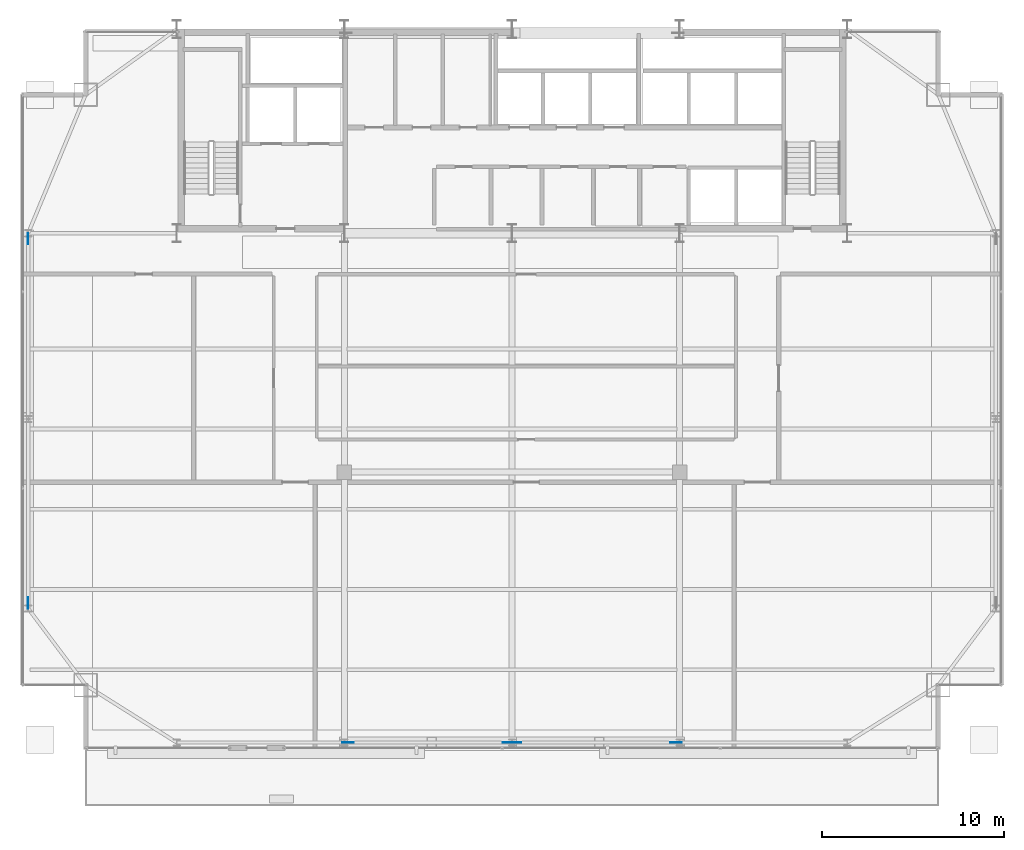
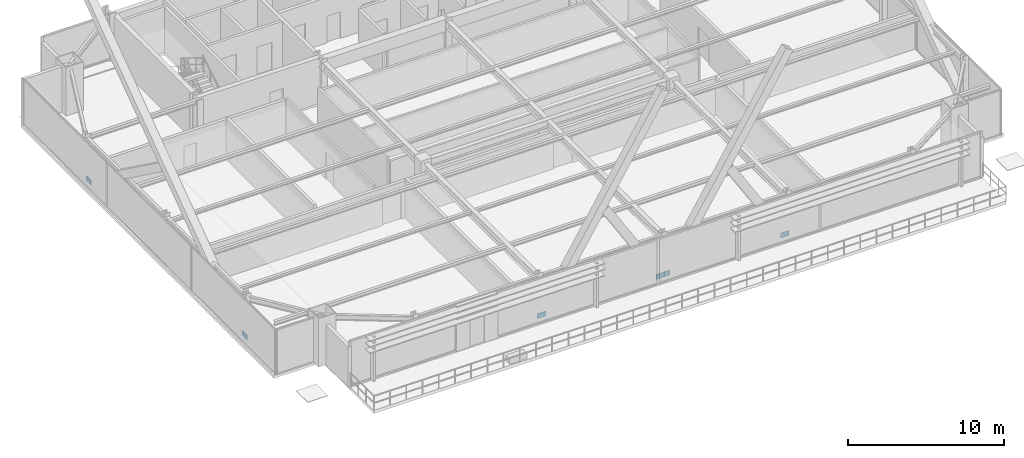
# One storey, part 27 of 33: 6 plates.
"""IFC4 building model written with IfcOpenShell, lengths in metres."""

import ifcopenshell
import ifcopenshell.guid

model = None  # the IFC model being written
_history = None  # IfcOwnerHistory: only IFC2X3 demands one
_inside = {}  # id of a spatial element -> (the spatial element, [elements in it])
_under = {}  # id of a project, library or spatial element -> (it, [spatial elements below it])
_declared = {}  # id of a project -> (the project, [libraries it declares])
_typed = {}  # id of a type object -> (the type object, [elements of that type])
_made_of = {}  # id of a material, layer set ... -> (it, [elements and type objects made of it])


def new_model(schema):
    """Start an empty IFC model of exactly this schema.

    Asked for "IFC4X3", IfcOpenShell would pick the latest addendum, in which some entities
    have other attributes; the version numbers below select the first issue.
    IFC2X3 requires an IfcOwnerHistory on every rooted entity: one is made here for all.
    """
    global model, _history
    if schema == "IFC4X3":
        model = ifcopenshell.file(schema_version=(4, 3, 0, 0))
    else:
        model = ifcopenshell.file(schema=schema)
    _inside.clear()
    _under.clear()
    _declared.clear()
    _typed.clear()
    _made_of.clear()
    _history = None
    if model.schema == "IFC2X3":
        org = make("IfcOrganization", Name="unknown")
        user = make(
            "IfcPersonAndOrganization",
            ThePerson=make("IfcPerson", FamilyName="unknown"),
            TheOrganization=org,
        )
        app = make(
            "IfcApplication",
            ApplicationDeveloper=org,
            Version="unknown",
            ApplicationFullName="unknown",
            ApplicationIdentifier="unknown",
        )
        _history = make(
            "IfcOwnerHistory",
            OwningUser=user,
            OwningApplication=app,
            ChangeAction="ADDED",
            CreationDate=0,
        )
    return model


def make(cls, **values):
    """One entity of the class cls with the attributes given. An attribute that is None is left unset."""
    return model.create_entity(
        cls, **{name: value for name, value in values.items() if value is not None}
    )


def rooted(cls, **values):
    """An entity with a GlobalId (a new one), such as an element, a storey or a relation."""
    return make(cls, GlobalId=ifcopenshell.guid.new(), OwnerHistory=_history, **values)


def si_unit(unit_type, name, prefix=None):
    """IfcSIUnit, for example si_unit("LENGTHUNIT", "METRE", prefix="MILLI")."""
    return make("IfcSIUnit", UnitType=unit_type, Prefix=prefix, Name=name)


def assignment(units):
    """IfcUnitAssignment: the units of a project."""
    return None if units is None else make("IfcUnitAssignment", Units=units)


def point(xyz):
    """IfcCartesianPoint."""
    return None if xyz is None else make("IfcCartesianPoint", Coordinates=xyz)


def direction(xyz):
    """IfcDirection."""
    return None if xyz is None else make("IfcDirection", DirectionRatios=xyz)


def frame(location, z_axis=None, x_axis=None):
    """IfcAxis2Placement3D, a coordinate frame: its origin and axes. An axis left out is left unset."""
    return make(
        "IfcAxis2Placement3D",
        Location=point(location),
        Axis=direction(z_axis),
        RefDirection=direction(x_axis),
    )


def frame_2d(location, x_axis=None):
    """IfcAxis2Placement2D, a coordinate frame in the plane: its origin and x axis."""
    return make(
        "IfcAxis2Placement2D", Location=point(location), RefDirection=direction(x_axis)
    )


def origin():
    """The frame at (0, 0, 0) with its axes left unset."""
    return frame((0.0, 0.0, 0.0))


def origin_2d():
    """The frame at (0, 0) in the plane with its x axis left unset."""
    return frame_2d((0.0, 0.0))


def place(relative_to, where):
    """IfcLocalPlacement: puts the frame where relative to a parent placement (None: the world)."""
    return make(
        "IfcLocalPlacement", PlacementRelTo=relative_to, RelativePlacement=where
    )


def context(
    kind, dimensions, precision=None, world=None, true_north=None, identifier=None
):
    """IfcGeometricRepresentationContext, for example the 3D "Model" context."""
    return make(
        "IfcGeometricRepresentationContext",
        ContextIdentifier=identifier,
        ContextType=kind,
        CoordinateSpaceDimension=dimensions,
        Precision=precision,
        WorldCoordinateSystem=world,
        TrueNorth=true_north,
    )


def subcontext(parent, identifier, kind, view, scale=None):
    """IfcGeometricRepresentationSubContext, for example "Body" below "Model"."""
    return make(
        "IfcGeometricRepresentationSubContext",
        ContextIdentifier=identifier,
        ContextType=kind,
        ParentContext=parent,
        TargetScale=scale,
        TargetView=view,
    )


def project(units=None, contexts=None):
    """IfcProject with its units and contexts."""
    return rooted(
        "IfcProject",
        Name="project",
        RepresentationContexts=contexts,
        UnitsInContext=assignment(units),
    )


def spatial(cls, under=None, at=None, **own):
    """A site, building, storey or space (cls), placed at a placement, below another one or the project."""
    s = rooted(cls, ObjectPlacement=at, **own)
    if under is not None:
        _under.setdefault(under.id(), (under, []))[1].append(s)
    return s


def profile(cls, at=None, kind="AREA", **sizes):
    """A parametric profile (cls). Its sizes go by their IFC names, for example OverallWidth=200.0."""
    return make(cls, ProfileType=kind, Position=at, **sizes)


def rectangle(**sizes):
    """IfcRectangleProfileDef."""
    return profile("IfcRectangleProfileDef", **sizes)


def extrude(swept, where, along, depth):
    """IfcExtrudedAreaSolid: the profile swept, set in the frame where, extruded along a direction by depth."""
    return make(
        "IfcExtrudedAreaSolid",
        SweptArea=swept,
        Position=where,
        ExtrudedDirection=direction(along),
        Depth=depth,
    )


def shape(context_of_items, identifier, shape_type, items):
    """IfcShapeRepresentation: the items that make up one representation, for example the "Body"."""
    return make(
        "IfcShapeRepresentation",
        ContextOfItems=context_of_items,
        RepresentationIdentifier=identifier,
        RepresentationType=shape_type,
        Items=items,
    )


def source(mapping_origin, context_of_items, identifier, shape_type, items):
    """IfcRepresentationMap: a shape defined once, which mapped items show again and again."""
    return make(
        "IfcRepresentationMap",
        MappingOrigin=mapping_origin,
        MappedRepresentation=shape(context_of_items, identifier, shape_type, items),
    )


def transform(
    local_origin,
    x_axis=None,
    y_axis=None,
    z_axis=None,
    scale=None,
    scale2=None,
    scale3=None,
    uniform=True,
):
    """IfcCartesianTransformationOperator3D, or its non-uniform kind. x_axis, y_axis, z_axis: its Axis1, 2, 3."""
    if uniform:
        return make(
            "IfcCartesianTransformationOperator3D",
            Axis1=direction(x_axis),
            Axis2=direction(y_axis),
            LocalOrigin=point(local_origin),
            Scale=scale,
            Axis3=direction(z_axis),
        )
    return make(
        "IfcCartesianTransformationOperator3DnonUniform",
        Axis1=direction(x_axis),
        Axis2=direction(y_axis),
        LocalOrigin=point(local_origin),
        Scale=scale,
        Axis3=direction(z_axis),
        Scale2=scale2,
        Scale3=scale3,
    )


def mapped(mapping_source, mapping_target):
    """IfcMappedItem: shows the shape of a source again, moved by a transform."""
    return make(
        "IfcMappedItem", MappingSource=mapping_source, MappingTarget=mapping_target
    )


def material(Name=None, Category=None):
    """IfcMaterial."""
    return make("IfcMaterial", Name=Name, Category=Category)


def layer(
    of_material, thickness, ventilated=None, Name=None, Category=None, Priority=None
):
    """IfcMaterialLayer: one layer of a wall or slab, of a material (None: an air gap)."""
    return make(
        "IfcMaterialLayer",
        Material=of_material,
        LayerThickness=thickness,
        IsVentilated=ventilated,
        Name=Name,
        Category=Category,
        Priority=Priority,
    )


def layer_set(layers, Name=None):
    """IfcMaterialLayerSet."""
    return make("IfcMaterialLayerSet", MaterialLayers=layers, LayerSetName=Name)


def made_of(thing, what):
    """Note that an element or type object is made of a material, layer set ...; save() writes the relation."""
    if what is not None:
        _made_of.setdefault(what.id(), (what, []))[1].append(thing)
    return thing


def type_object(cls, material=None, **own):
    """A type object (cls), such as IfcWallType, which elements share."""
    return made_of(rooted(cls, **own), material)


def type_shapes(of_type, sources):
    """Give a type object the sources (RepresentationMaps) that its elements show as mapped items."""
    of_type.RepresentationMaps = sources


def element(
    cls,
    number,
    at=None,
    inside=None,
    cuts=None,
    type_object=None,
    material=None,
    context=None,
    identifier="Body",
    shape_type=None,
    held_by="IfcProductDefinitionShape",
    body=None,
    shapes=None,
    **own,
):
    """One element of the class cls, such as IfcWall. Its Tag is "e" and its number.

    at: its placement. inside: the storey or other place that contains it. cuts: it is an
    opening in that element (IfcRelVoidsElement). A single representation is given by context,
    identifier, shape_type and body (its items); several are given by shapes. held_by: the class
    of the entity that holds the representations. save() writes the other relations.
    """
    e = rooted(cls, Tag="e%d" % number, ObjectPlacement=at, **own)
    if body is not None:
        shapes = [shape(context, identifier, shape_type, body)]
    if shapes is not None:
        e.Representation = make(held_by, Representations=shapes)
    if inside is not None:
        _inside.setdefault(inside.id(), (inside, []))[1].append(e)
    if cuts is not None:
        rooted(
            "IfcRelVoidsElement", RelatingBuildingElement=cuts, RelatedOpeningElement=e
        )
    if type_object is not None:
        _typed.setdefault(type_object.id(), (type_object, []))[1].append(e)
    return made_of(e, material)


def aggregate(whole, parts):
    """IfcRelAggregates: a whole, such as a stair, and the parts it consists of."""
    return rooted("IfcRelAggregates", RelatingObject=whole, RelatedObjects=parts)


def save(model, path):
    """Write the relations noted so far, then the file.

    IfcRelAggregates (storeys below a building ...), IfcRelContainedInSpatialStructure (elements
    in a storey), IfcRelDefinesByType, IfcRelAssociatesMaterial and IfcRelDeclares: one each for
    every whole, place, type object, material and project.
    """
    for whole, parts in _under.values():
        aggregate(whole, parts)
    for where, things in _inside.values():
        rooted(
            "IfcRelContainedInSpatialStructure",
            RelatedElements=things,
            RelatingStructure=where,
        )
    for kind, things in _typed.values():
        rooted("IfcRelDefinesByType", RelatedObjects=things, RelatingType=kind)
    for what, things in _made_of.values():
        rooted("IfcRelAssociatesMaterial", RelatedObjects=things, RelatingMaterial=what)
    for by, libraries in _declared.values():
        rooted("IfcRelDeclares", RelatingContext=by, RelatedDefinitions=libraries)
    model.write(path)


model = new_model("IFC4")

# Units and contexts
model_context = context("Model", 3, precision=1e-05, world=origin(), true_north=direction((0.0, 1.0)))
body_context = subcontext(model_context, "Body", "Model", "MODEL_VIEW")
ifc_project = project(units=[si_unit("LENGTHUNIT", "METRE"), si_unit("AREAUNIT", "SQUARE_METRE"), si_unit("VOLUMEUNIT", "CUBIC_METRE"), si_unit("PLANEANGLEUNIT", "RADIAN"), si_unit("MASSUNIT", "GRAM", prefix="KILO")], contexts=[model_context])

# Site, building, storey
site_placement = place(None, origin())
site = spatial("IfcSite", under=ifc_project, at=site_placement, CompositionType="ELEMENT")
building_placement = place(site_placement, origin())
building = spatial("IfcBuilding", under=site, at=building_placement, Name="Varnel Quay Broadcast Tower", CompositionType="ELEMENT")
storey_placement = place(building_placement, frame((0.0, 0.0, 145.800048828125)))
storey = spatial("IfcBuildingStorey", under=building, at=storey_placement, Name="L35", CompositionType="ELEMENT", Elevation=145.800048828125)

# Plates
ifc_material = material(Name="Structural Steel CSA G40.21 350WT", Category="steel")
ifc_layer = layer(ifc_material, 0.031982421875, Name="Structural Steel CSA G40.21 350WT")
ifc_layer_set = layer_set([ifc_layer], Name="Structural Steel CSA G40.21 350WT")
plate_type = type_object("IfcPlateType", Name="Plate_EndCap", PredefinedType="USERDEFINED", material=ifc_layer_set)
shared_shape = source(origin(), body_context, "Body", "SweptSolid", [
    extrude(rectangle(XDim=0.6201171875, YDim=0.031982421875, at=origin_2d()), origin(), (0.0, 0.0, 1.0), 0.3798828125),
])
type_shapes(plate_type, [shared_shape])
for number, where, z_axis, x_axis, name in (
    (1, (24.99951171875, 7.64990234375, 0.1533203125), (0.0, 0.0, 1.0), (1.0, 0.0, 0.0), "Zone 3 Mega-Brace S-C1T1 Diag A End Connection Plate P0"),
    (2, (33.800537109375, 7.64990234375, 0.1533203125), (0.0, 0.0, 1.0), (1.0, 0.0, 0.0), "Zone 3 Mega-Brace S-C1T1 Diag B1 End Connection Plate P0"),
    (3, (34.199462890625, 7.64990234375, 0.1533203125), (0.0, 0.0, 1.0), (1.0, 0.0, 0.0), "Zone 3 Mega-Brace S-C2T1 Diag A End Connection Plate P0"),
    (4, (43.00048828125, 7.64990234375, 0.1533203125), (0.0, 0.0, 1.0), (1.0, 0.0, 0.0), "Zone 3 Mega-Brace S-C2T1 Diag B1 End Connection Plate P0"),
    (5, (7.449951171875, 15.307861328125, 0.052734375), (0.0, 0.0, 1.0), (0.0, 1.0, 0.0), "Zone 3 Mega-Brace W-FT1 Diag A End Connection Plate P0"),
    (6, (7.449951171875, 35.292236328125, 0.052734375), (0.0, 0.0, 1.0), (0.0, 1.0, 0.0), "Zone 3 Mega-Brace W-FT1 Diag B1 End Connection Plate P0"),
):
    element("IfcPlate", number, at=place(storey_placement, frame(where, z_axis=z_axis, x_axis=x_axis)), inside=storey, type_object=plate_type, Name=name, ObjectType="CAP_PLATE", PredefinedType="USERDEFINED", context=body_context, shape_type="MappedRepresentation", body=[
        mapped(shared_shape, transform((0.0, 0.0, 0.0), x_axis=(1.0, 0.0, 0.0), y_axis=(0.0, 1.0, 0.0), z_axis=(0.0, 0.0, 1.0), scale=1.0)),
    ])

save(model, "model.ifc")
